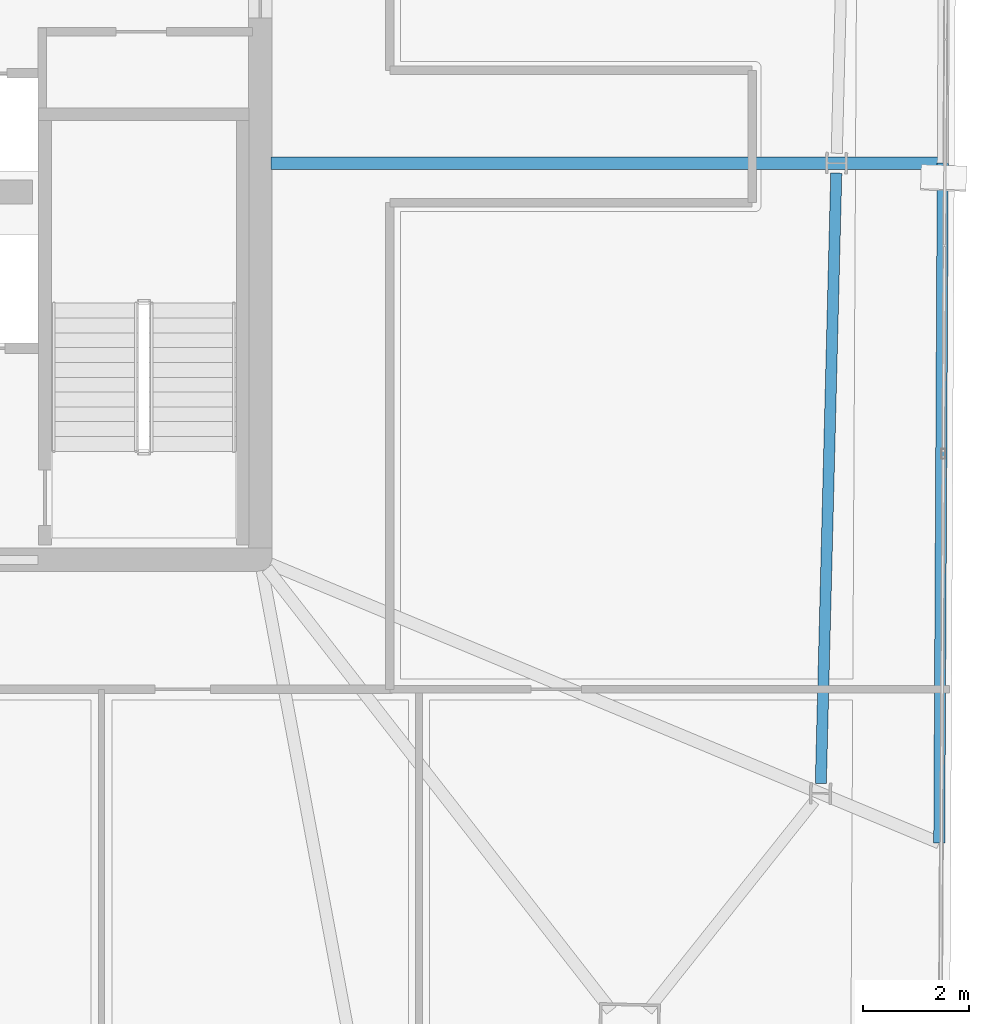
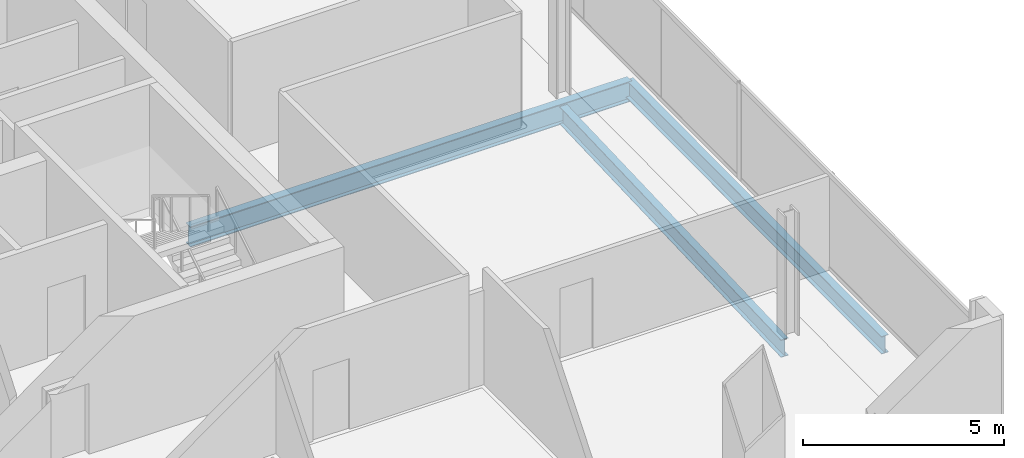
# One storey, part 10 of 24: 3 beams.
"""IFC4 building model written with IfcOpenShell, lengths in metres."""

from ifc_helpers import new_model, si_unit, direction, frame, origin, origin_2d, place, context, subcontext, project, spatial, i_section, extrude, material, material_profile, profile_set, type_object, element, save


model = new_model("IFC4")

# Units and contexts
model_context = context("Model", 3, precision=1e-05, world=origin(), true_north=direction((0.0, 1.0)))
body_context = subcontext(model_context, "Body", "Model", "MODEL_VIEW")
ifc_project = project(units=[si_unit("LENGTHUNIT", "METRE"), si_unit("AREAUNIT", "SQUARE_METRE"), si_unit("VOLUMEUNIT", "CUBIC_METRE"), si_unit("PLANEANGLEUNIT", "RADIAN"), si_unit("MASSUNIT", "GRAM", prefix="KILO")], contexts=[model_context])

# Site, building, storey
site_placement = place(None, origin())
site = spatial("IfcSite", under=ifc_project, at=site_placement, CompositionType="ELEMENT")
building_placement = place(site_placement, origin())
building = spatial("IfcBuilding", under=site, at=building_placement, Name="Haldenkirk Collegiate Tower", CompositionType="ELEMENT")
storey_placement = place(building_placement, frame((0.0, 0.0, 328.949951171875)))
storey = spatial("IfcBuildingStorey", under=building, at=storey_placement, Name="L83", CompositionType="ELEMENT", Elevation=328.949951171875)

# Beams
ifc_material = material(Name="Steel ASTM A992 Grade 50", Category="steel")
ifc_material_profile_1 = material_profile(ifc_material, i_section(OverallWidth=0.22998046875, OverallDepth=0.616943359375, WebThickness=0.01318359375, FlangeThickness=0.022216796875, at=origin_2d()), Name="W24X94")
ifc_profile_set_1 = profile_set([ifc_material_profile_1], Name="Steel ASTM A992 Grade 50")
beam_type_1 = type_object("IfcBeamType", Name="BM-GIRDER-W24X94", PredefinedType="BEAM", material=ifc_profile_set_1)
beam_1_placement = place(storey_placement, frame((57.902587890625, 25.496337890625, -0.568359375), z_axis=(-1.0, 0.0, 0.0), x_axis=(0.0, -1.0, 0.0)))
element("IfcBeam", 1, at=beam_1_placement, inside=storey, type_object=beam_type_1, Name="L83 primary floor girder 06", PredefinedType="BEAM", context=body_context, shape_type="SweptSolid", body=[
    extrude(i_section(OverallWidth=0.22998046875, OverallDepth=0.616943359375, WebThickness=0.01318359375, FlangeThickness=0.022216796875, at=origin_2d()), origin(), (0.0, 0.0, 1.0), 12.697509765625),
])
ifc_material_profile_2 = material_profile(ifc_material, i_section(OverallWidth=0.2099609375, OverallDepth=0.537109375, WebThickness=0.010986328125, FlangeThickness=0.017333984375, at=origin_2d()), Name="W21X68")
ifc_profile_set_2 = profile_set([ifc_material_profile_2], Name="Steel ASTM A992 Grade 50")
beam_type_2 = type_object("IfcBeamType", Name="BM-SPANDREL-W21X68", PredefinedType="SPANDREL", material=ifc_profile_set_2)
beam_2_placement = place(storey_placement, frame((55.596923828125, 13.772216796875, -0.528564453125), z_axis=(0.025302458902, 0.999679841536, 0.0), x_axis=(-0.999679841536, 0.025302458902, 0.0)))
element("IfcBeam", 2, at=beam_2_placement, inside=storey, type_object=beam_type_2, Name="L83 perimeter spandrel beam 02", PredefinedType="SPANDREL", context=body_context, shape_type="SweptSolid", body=[
    extrude(i_section(OverallWidth=0.2099609375, OverallDepth=0.537109375, WebThickness=0.010986328125, FlangeThickness=0.017333984375, at=origin_2d()), origin(), (0.0, 0.0, 1.0), 11.5400390625),
])
beam_3_placement = place(storey_placement, frame((57.83544921875, 12.649169921875, -0.528564453125), z_axis=(0.005225879763, 0.999986344997, 0.0), x_axis=(-0.999986344997, 0.005225879763, 0.0)))
element("IfcBeam", 3, at=beam_3_placement, inside=storey, type_object=beam_type_2, Name="L83 outer facade edge beam 1A", PredefinedType="SPANDREL", context=body_context, shape_type="SweptSolid", body=[
    extrude(i_section(OverallWidth=0.2099609375, OverallDepth=0.537109375, WebThickness=0.010986328125, FlangeThickness=0.017333984375, at=origin_2d()), origin(), (0.0, 0.0, 1.0), 12.847412109375),
])

save(model, "model.ifc")
